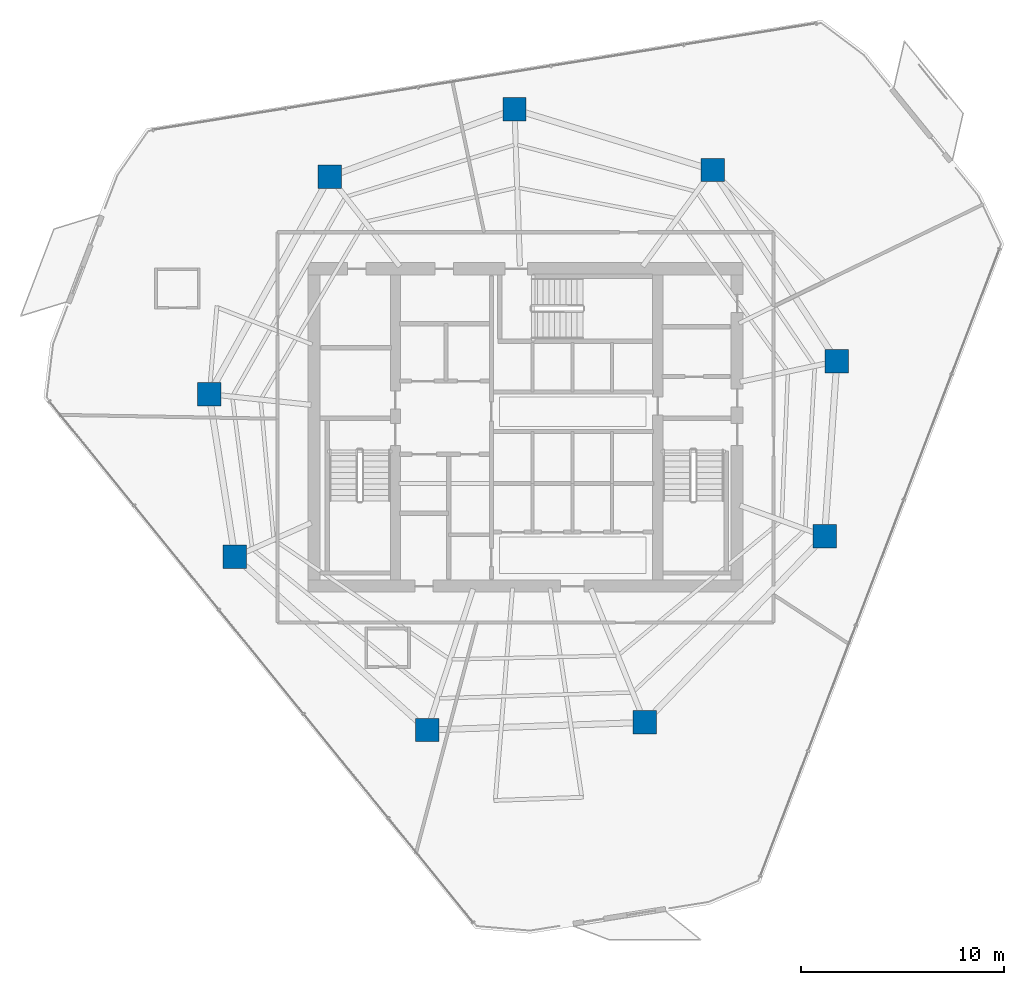
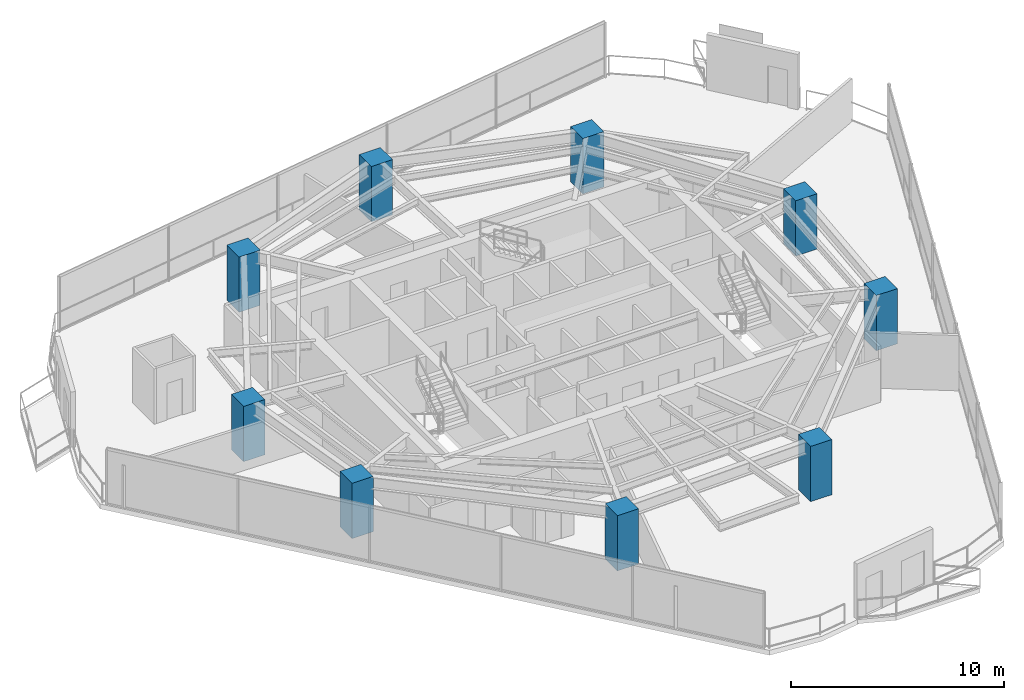
# One storey, part 1 of 27: 9 columns.
"""IFC4 building model written with IfcOpenShell, lengths in metres."""

from ifc_helpers import new_model, si_unit, direction, frame, origin, origin_2d, place, context, subcontext, project, spatial, rectangle, extrude, material, material_profile, profile_set, type_object, element, save


model = new_model("IFC4")

# Units and contexts
model_context = context("Model", 3, precision=1e-05, world=origin(), true_north=direction((0.0, 1.0)))
body_context = subcontext(model_context, "Body", "Model", "MODEL_VIEW")
ifc_project = project(units=[si_unit("LENGTHUNIT", "METRE"), si_unit("AREAUNIT", "SQUARE_METRE"), si_unit("VOLUMEUNIT", "CUBIC_METRE"), si_unit("PLANEANGLEUNIT", "RADIAN"), si_unit("MASSUNIT", "GRAM", prefix="KILO")], contexts=[model_context])

# Site, building, storey
site_placement = place(None, origin())
site = spatial("IfcSite", under=ifc_project, at=site_placement, CompositionType="ELEMENT")
building_placement = place(site_placement, origin())
building = spatial("IfcBuilding", under=site, at=building_placement, Name="Qarnah Convention Tower", CompositionType="ELEMENT")
storey_placement = place(building_placement, frame((0.0, 0.0, 100.5)))
storey = spatial("IfcBuildingStorey", under=building, at=storey_placement, Name="L26", CompositionType="ELEMENT", Elevation=100.5)

# Columns
ifc_material = material(Name="Concrete C60/75", Category="concrete")
ifc_material_profile = material_profile(ifc_material, rectangle(XDim=1.14990234375, YDim=1.14990234375, at=origin_2d()), Name="RC-COL-1150X1150")
ifc_profile_set = profile_set([ifc_material_profile], Name="Concrete C60/75")
column_type = type_object("IfcColumnType", Name="COL-Z2-1150", PredefinedType="COLUMN", material=ifc_profile_set)
for number, where, z_axis, x_axis, name in (
    (1, (52.508056640625, 29.654052734375, 0.0), (0.0, 0.0, 1.0), (1.0, 0.0, 0.0), "L26 plumb column PC-Z2-01"),
    (2, (46.39892578125, 39.06103515625, 0.0), (0.0, 0.0, 1.0), (1.0, 0.0, 0.0), "L26 plumb column PC-Z2-02"),
    (3, (36.654052734375, 42.0400390625, 0.0), (0.0, 0.0, 1.0), (1.0, 0.0, 0.0), "L26 plumb column PC-Z2-03"),
    (4, (27.56494140625, 38.73193359375, 0.0), (0.0, 0.0, 1.0), (1.0, 0.0, 0.0), "L26 plumb column PC-Z2-04"),
    (5, (21.635986328125, 28.035888671875, 0.0), (0.0, 0.0, 1.0), (1.0, 0.0, 0.0), "L26 plumb column PC-Z2-05"),
    (6, (22.903076171875, 20.034912109375, 0.0), (0.0, 0.0, 1.0), (1.0, 0.0, 0.0), "L26 plumb column PC-Z2-06"),
    (7, (32.364013671875, 11.51611328125, 0.0), (0.0, 0.0, 1.0), (1.0, 0.0, 0.0), "L26 plumb column PC-Z2-07"),
    (8, (43.06298828125, 11.889892578125, 0.0), (0.0, 0.0, 1.0), (1.0, 0.0, 0.0), "L26 plumb column PC-Z2-08"),
    (9, (51.906005859375, 21.047119140625, 0.0), (0.0, 0.0, 1.0), (1.0, 0.0, 0.0), "L26 plumb column PC-Z2-09"),
):
    element("IfcColumn", number, at=place(storey_placement, frame(where, z_axis=z_axis, x_axis=x_axis)), inside=storey, type_object=column_type, Name=name, PredefinedType="COLUMN", context=body_context, shape_type="SweptSolid", body=[
        extrude(rectangle(XDim=1.14990234375, YDim=1.14990234375, at=origin_2d()), origin(), (0.0, 0.0, 1.0), 3.169921875),
    ])

save(model, "model.ifc")
